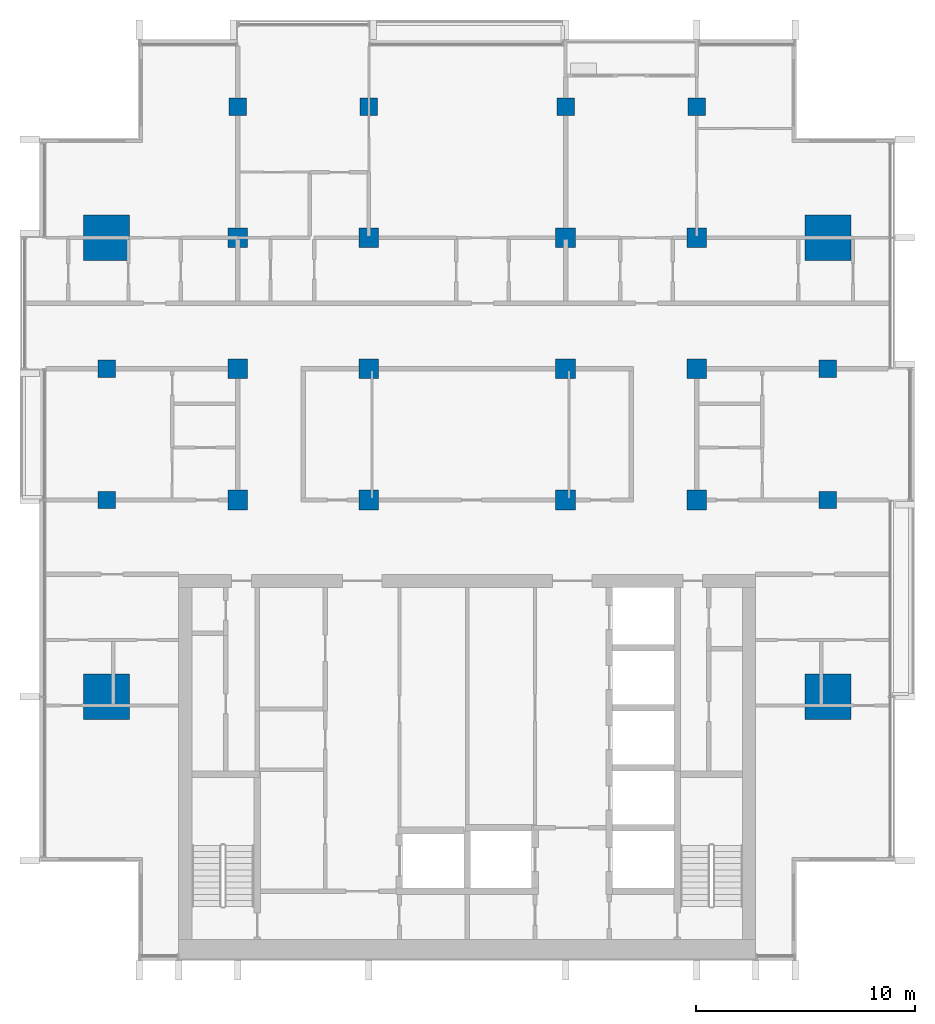
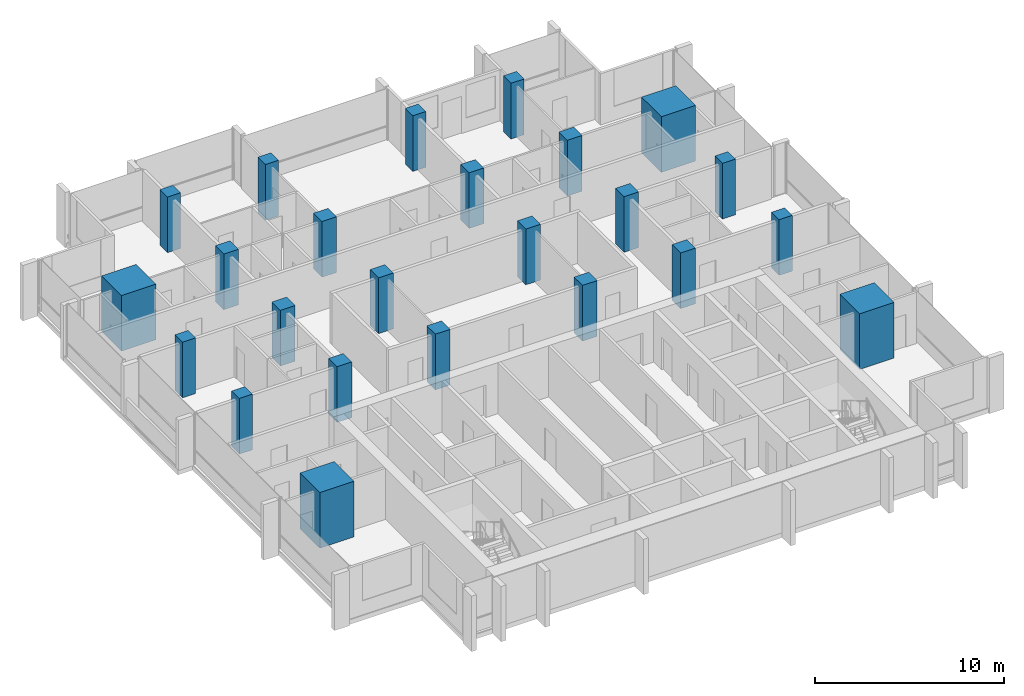
# One storey, part 1 of 16: 24 columns.
"""IFC4 building model written with IfcOpenShell, lengths in metres."""

from ifc_helpers import new_model, si_unit, direction, frame, origin, origin_2d, place, context, subcontext, project, spatial, rectangle, extrude, material, material_profile, profile_set, type_object, element, save


model = new_model("IFC4")

# Units and contexts
model_context = context("Model", 3, precision=1e-05, world=origin(), true_north=direction((0.0, 1.0)))
body_context = subcontext(model_context, "Body", "Model", "MODEL_VIEW")
ifc_project = project(units=[si_unit("LENGTHUNIT", "METRE"), si_unit("AREAUNIT", "SQUARE_METRE"), si_unit("VOLUMEUNIT", "CUBIC_METRE"), si_unit("PLANEANGLEUNIT", "RADIAN"), si_unit("MASSUNIT", "GRAM", prefix="KILO")], contexts=[model_context])

# Site, building, storey
site_placement = place(None, origin())
site = spatial("IfcSite", under=ifc_project, at=site_placement, CompositionType="ELEMENT")
building_placement = place(site_placement, origin())
building = spatial("IfcBuilding", under=site, at=building_placement, Name="Finial Court Residences", CompositionType="ELEMENT")
storey_placement = place(building_placement, frame((0.0, 0.0, 219.5)))
storey = spatial("IfcBuildingStorey", under=building, at=storey_placement, Name="L55", CompositionType="ELEMENT", Elevation=219.5)

# Columns
ifc_material = material(Name="Concrete C50/60", Category="concrete")
ifc_material_profile_1 = material_profile(ifc_material, rectangle(XDim=0.89990234375, YDim=0.89990234375, at=origin_2d()), Name="900x900")
ifc_profile_set_1 = profile_set([ifc_material_profile_1], Name="Concrete C50/60")
column_type_1 = type_object("IfcColumnType", Name="Interior column 900x900 Concrete C50/60", PredefinedType="COLUMN", material=ifc_profile_set_1)
for number, where, z_axis, x_axis, name in (
    (1, (-10.5, -4.5, 0.0), (0.0, 0.0, 1.0), (1.0, 0.0, 0.0), "S:COL:L55:D4"),
    (2, (-10.5, 1.5, 0.0), (0.0, 0.0, 1.0), (1.0, 0.0, 0.0), "S:COL:L55:D5"),
    (3, (-10.5, 7.5, 0.0), (0.0, 0.0, 1.0), (1.0, 0.0, 0.0), "S:COL:L55:D6"),
    (4, (-4.5, -4.5, 0.0), (0.0, 0.0, 1.0), (1.0, 0.0, 0.0), "S:COL:L55:E4"),
    (5, (-4.5, 1.5, 0.0), (0.0, 0.0, 1.0), (1.0, 0.0, 0.0), "S:COL:L55:E5"),
    (6, (-4.5, 7.5, 0.0), (0.0, 0.0, 1.0), (1.0, 0.0, 0.0), "S:COL:L55:E6"),
    (7, (4.5, -4.5, 0.0), (0.0, 0.0, 1.0), (1.0, 0.0, 0.0), "S:COL:L55:F4"),
    (8, (4.5, 1.5, 0.0), (0.0, 0.0, 1.0), (1.0, 0.0, 0.0), "S:COL:L55:F5"),
    (9, (4.5, 7.5, 0.0), (0.0, 0.0, 1.0), (1.0, 0.0, 0.0), "S:COL:L55:F6"),
    (10, (10.5, -4.5, 0.0), (0.0, 0.0, 1.0), (1.0, 0.0, 0.0), "S:COL:L55:G4"),
    (11, (10.5, 1.5, 0.0), (0.0, 0.0, 1.0), (1.0, 0.0, 0.0), "S:COL:L55:G5"),
    (12, (10.5, 7.5, 0.0), (0.0, 0.0, 1.0), (1.0, 0.0, 0.0), "S:COL:L55:G6"),
):
    element("IfcColumn", number, at=place(storey_placement, frame(where, z_axis=z_axis, x_axis=x_axis)), inside=storey, type_object=column_type_1, Name=name, PredefinedType="COLUMN", context=body_context, shape_type="SweptSolid", body=[
        extrude(rectangle(XDim=0.89990234375, YDim=0.89990234375, at=origin_2d()), origin(), (0.0, 0.0, 1.0), 3.60009765625),
    ])
ifc_material_profile_2 = material_profile(ifc_material, rectangle(XDim=2.10009765625, YDim=2.10009765625, at=origin_2d()), Name="2100x2100")
ifc_profile_set_2 = profile_set([ifc_material_profile_2], Name="Concrete C50/60")
column_type_2 = type_object("IfcColumnType", Name="Mega column 2100x2100 Concrete C50/60", PredefinedType="COLUMN", material=ifc_profile_set_2)
for number, where, z_axis, x_axis, name in (
    (13, (-16.5, -13.5, 0.0), (0.0, 0.0, 1.0), (1.0, 0.0, 0.0), "S:COL:L55:C3"),
    (14, (-16.5, 7.5, 0.0), (0.0, 0.0, 1.0), (1.0, 0.0, 0.0), "S:COL:L55:C6"),
    (15, (16.5, -13.5, 0.0), (0.0, 0.0, 1.0), (1.0, 0.0, 0.0), "S:COL:L55:H3"),
    (16, (16.5, 7.5, 0.0), (0.0, 0.0, 1.0), (1.0, 0.0, 0.0), "S:COL:L55:H6"),
):
    element("IfcColumn", number, at=place(storey_placement, frame(where, z_axis=z_axis, x_axis=x_axis)), inside=storey, type_object=column_type_2, Name=name, PredefinedType="COLUMN", context=body_context, shape_type="SweptSolid", body=[
        extrude(rectangle(XDim=2.10009765625, YDim=2.10009765625, at=origin_2d()), origin(), (0.0, 0.0, 1.0), 3.60009765625),
    ])
ifc_material_profile_3 = material_profile(ifc_material, rectangle(XDim=0.800048828125, YDim=0.800048828125, at=origin_2d()), Name="800x800")
ifc_profile_set_3 = profile_set([ifc_material_profile_3], Name="Concrete C50/60")
column_type_3 = type_object("IfcColumnType", Name="Perimeter column 800x800 Concrete C50/60", PredefinedType="COLUMN", material=ifc_profile_set_3)
for number, where, z_axis, x_axis, name in (
    (17, (-16.5, -4.5, 0.0), (0.0, 0.0, 1.0), (1.0, 0.0, 0.0), "S:COL:L55:C4"),
    (18, (-16.5, 1.5, 0.0), (0.0, 0.0, 1.0), (1.0, 0.0, 0.0), "S:COL:L55:C5"),
    (19, (-10.5, 13.5, 0.0), (0.0, 0.0, 1.0), (1.0, 0.0, 0.0), "S:COL:L55:D7"),
    (20, (-4.5, 13.5, 0.0), (0.0, 0.0, 1.0), (1.0, 0.0, 0.0), "S:COL:L55:E7"),
    (21, (4.5, 13.5, 0.0), (0.0, 0.0, 1.0), (1.0, 0.0, 0.0), "S:COL:L55:F7"),
    (22, (10.5, 13.5, 0.0), (0.0, 0.0, 1.0), (1.0, 0.0, 0.0), "S:COL:L55:G7"),
    (23, (16.5, -4.5, 0.0), (0.0, 0.0, 1.0), (1.0, 0.0, 0.0), "S:COL:L55:H4"),
    (24, (16.5, 1.5, 0.0), (0.0, 0.0, 1.0), (1.0, 0.0, 0.0), "S:COL:L55:H5"),
):
    element("IfcColumn", number, at=place(storey_placement, frame(where, z_axis=z_axis, x_axis=x_axis)), inside=storey, type_object=column_type_3, Name=name, PredefinedType="COLUMN", context=body_context, shape_type="SweptSolid", body=[
        extrude(rectangle(XDim=0.800048828125, YDim=0.800048828125, at=origin_2d()), origin(), (0.0, 0.0, 1.0), 3.60009765625),
    ])

save(model, "model.ifc")
